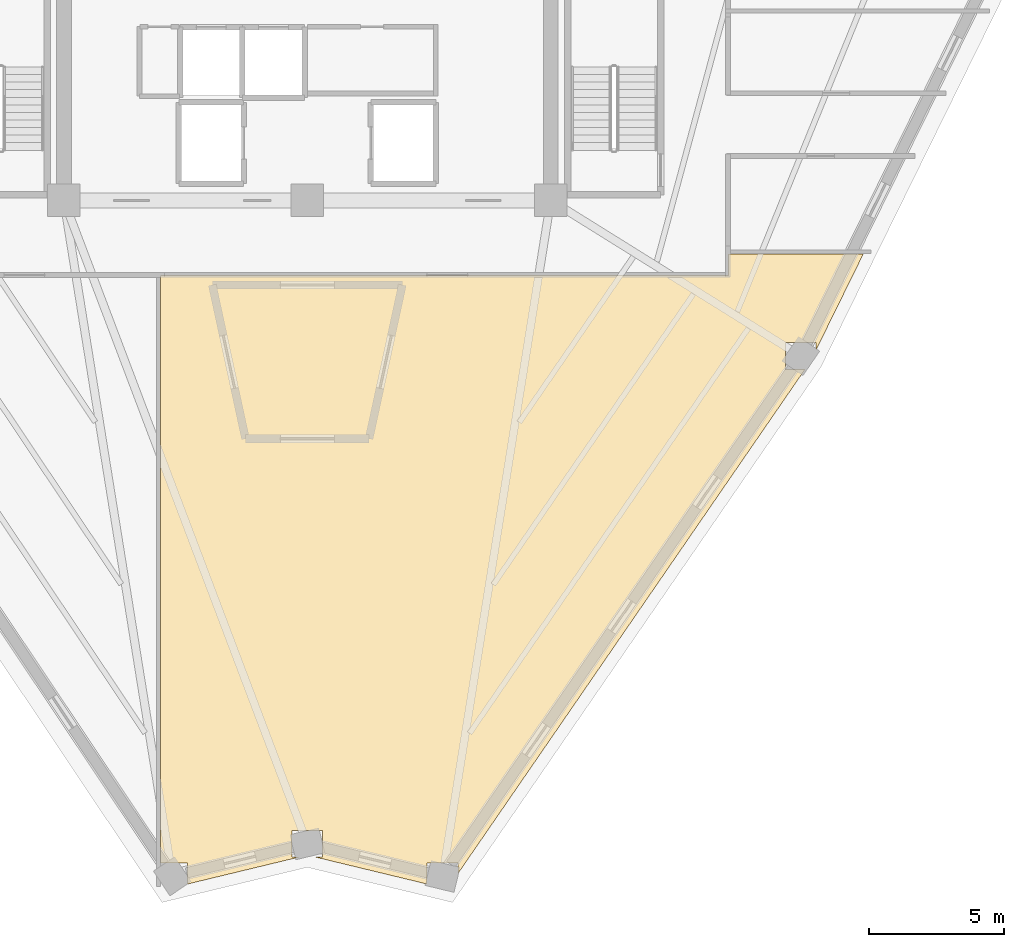
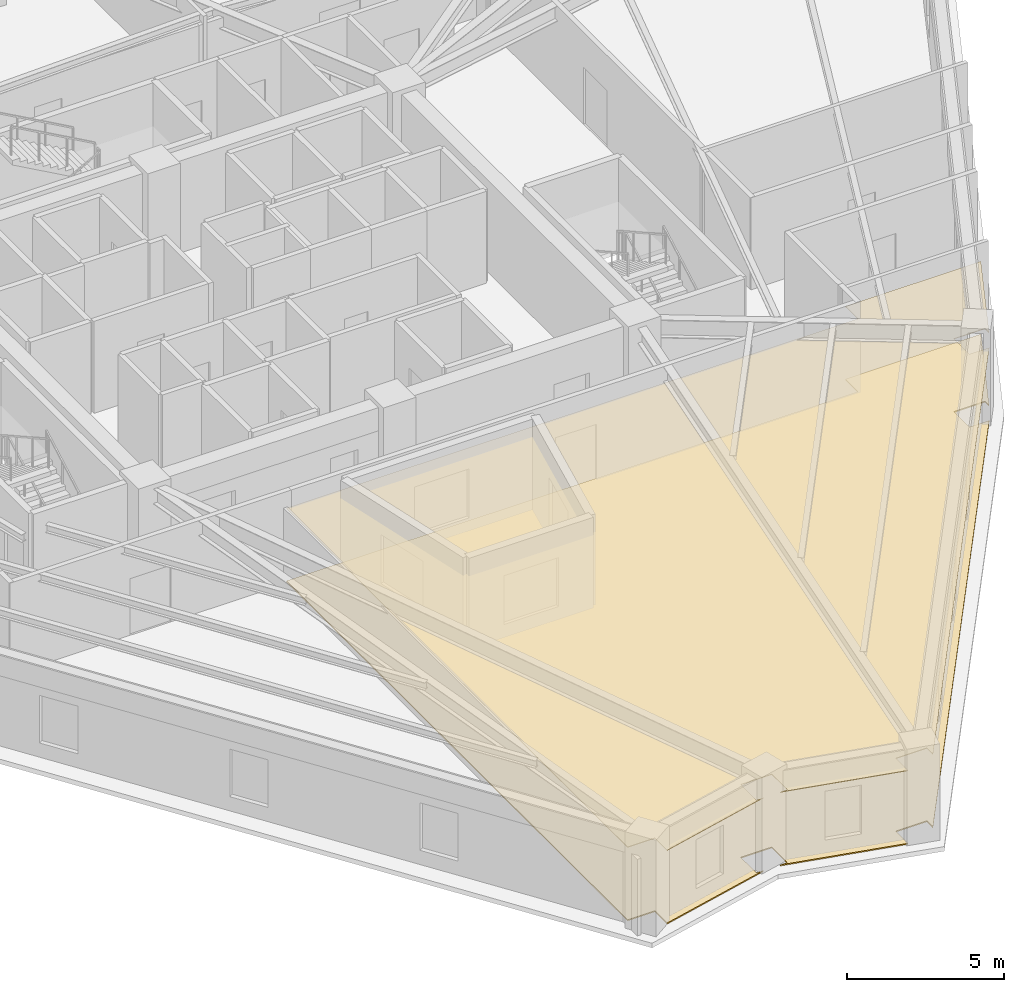
# One storey, part 9 of 10: 2 coverings.
"""IFC4 building model written with IfcOpenShell, lengths in metres."""

from ifc_helpers import new_model, si_unit, direction, frame, origin, place, context, subcontext, project, spatial, polyline, outline, extrude, material, layer, layer_set, type_object, element, save


model = new_model("IFC4")

# Units and contexts
model_context = context("Model", 3, precision=1e-05, world=origin(), true_north=direction((0.0, 1.0)))
body_context = subcontext(model_context, "Body", "Model", "MODEL_VIEW")
ifc_project = project(units=[si_unit("LENGTHUNIT", "METRE"), si_unit("AREAUNIT", "SQUARE_METRE"), si_unit("VOLUMEUNIT", "CUBIC_METRE"), si_unit("PLANEANGLEUNIT", "RADIAN"), si_unit("MASSUNIT", "GRAM", prefix="KILO")], contexts=[model_context])

# Site, building, storey
site_placement = place(None, origin())
site = spatial("IfcSite", under=ifc_project, at=site_placement, CompositionType="ELEMENT")
building_placement = place(site_placement, origin())
building = spatial("IfcBuilding", under=site, at=building_placement, Name="Liaohun Quay Tower", CompositionType="ELEMENT")
storey_placement = place(building_placement, frame((0.0, 0.0, 286.5)))
storey = spatial("IfcBuildingStorey", under=building, at=storey_placement, Name="L74", CompositionType="ELEMENT", Elevation=286.5)

# Coverings
ifc_material_1 = material(Name="Mineral-fibre acoustic ceiling tile")
ifc_layer_1 = layer(ifc_material_1, 0.02490234375, Name="Mineral-fibre acoustic ceiling tile")
ifc_layer_set_1 = layer_set([ifc_layer_1], Name="Mineral-fibre acoustic ceiling tile")
covering_type_1 = type_object("IfcCoveringType", Name="COV-CEIL-ACT", PredefinedType="CEILING", material=ifc_layer_set_1)
covering_1_placement = place(storey_placement, frame((0.0, 0.0, 2.85009765625)))
element("IfcCovering", 1, at=covering_1_placement, inside=storey, type_object=covering_type_1, Name="L74 Occupational Wellness Clinic 08 Acoustic Ceiling", PredefinedType="CEILING", context=body_context, shape_type="SweptSolid", body=[
    extrude(outline(polyline([(75.580078125, 43.719970703125), (54.574951171875, 43.719970703125), (54.574951171875, 22.001953125), (55.577880859375, 22.001953125), (55.577880859375, 21.222900390625), (59.695068359375, 22.217041015625), (59.429931640625, 22.217041015625), (59.429931640625, 23.20703125), (60.570068359375, 23.20703125), (60.570068359375, 22.217041015625), (60.304931640625, 22.217041015625), (64.429931640625, 21.220947265625), (64.429931640625, 22.0), (65.570068359375, 22.0), (65.570068359375, 21.610107421875), (78.39892578125, 40.2470703125), (77.672119140625, 40.2470703125), (77.672119140625, 41.237060546875), (78.81201171875, 41.237060546875), (78.81201171875, 40.971923828125), (80.56103515625, 44.52490234375), (75.580078125, 44.52490234375), (75.580078125, 43.719970703125)])), origin(), (0.0, 0.0, 1.0), 0.02490234375),
])
ifc_material_2 = material(Name="Calcium-sulphate raised access floor tile")
ifc_layer_2 = layer(ifc_material_2, 0.044921875, Name="Calcium-sulphate raised access floor tile")
ifc_layer_set_2 = layer_set([ifc_layer_2], Name="Calcium-sulphate raised access floor tile")
covering_type_2 = type_object("IfcCoveringType", Name="COV-FLR-RAF", PredefinedType="FLOORING", material=ifc_layer_set_2)
covering_2_placement = place(storey_placement, origin())
element("IfcCovering", 2, at=covering_2_placement, inside=storey, type_object=covering_type_2, Name="L74 Occupational Wellness Clinic 08 Floor Finish", PredefinedType="FLOORING", context=body_context, shape_type="SweptSolid", body=[
    extrude(outline(polyline([(75.580078125, 43.719970703125), (54.574951171875, 43.719970703125), (54.574951171875, 22.001953125), (55.577880859375, 22.001953125), (55.577880859375, 21.222900390625), (59.695068359375, 22.217041015625), (59.429931640625, 22.217041015625), (59.429931640625, 23.20703125), (60.570068359375, 23.20703125), (60.570068359375, 22.217041015625), (60.304931640625, 22.217041015625), (64.429931640625, 21.220947265625), (64.429931640625, 22.0), (65.570068359375, 22.0), (65.570068359375, 21.610107421875), (78.39892578125, 40.2470703125), (77.672119140625, 40.2470703125), (77.672119140625, 41.237060546875), (78.81201171875, 41.237060546875), (78.81201171875, 40.971923828125), (80.56103515625, 44.52490234375), (75.580078125, 44.52490234375), (75.580078125, 43.719970703125)])), origin(), (0.0, 0.0, 1.0), 0.044921875),
])

save(model, "model.ifc")
